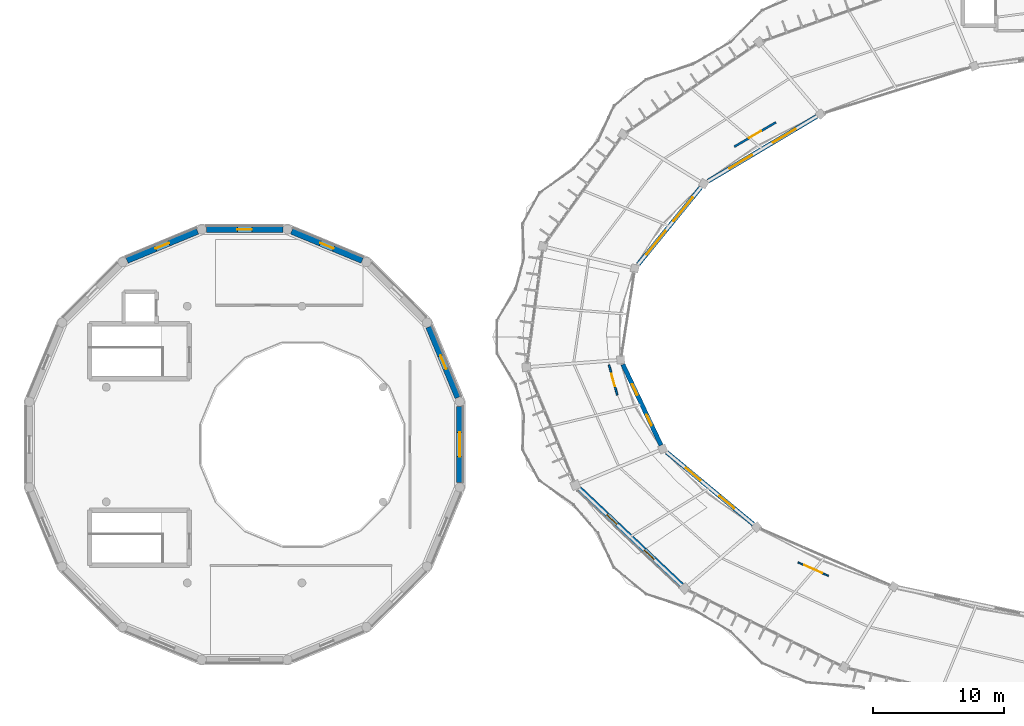
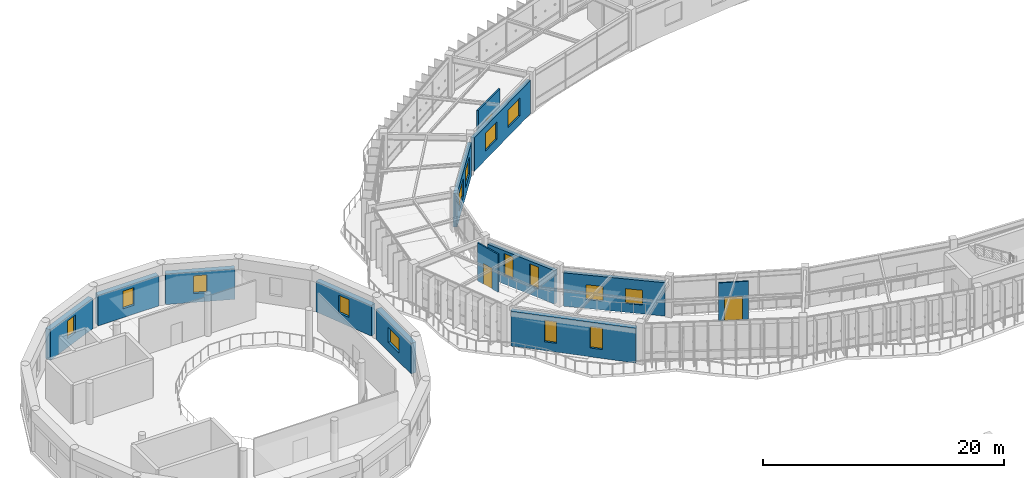
# One storey, part 92 of 114: 15 windows, 13 walls, 3 doors, 18 openings.
"""IFC4 building model written with IfcOpenShell, lengths in metres."""

from ifc_helpers import new_model, si_unit, direction, frame, frame_2d, origin, place, context, subcontext, project, spatial, rectangle, extrude, material, layer, layer_set, type_object, element, fill, save


model = new_model("IFC4")

# Units and contexts
model_context = context("Model", 3, precision=1e-05, world=origin(), true_north=direction((0.0, 1.0)))
body_context = subcontext(model_context, "Body", "Model", "MODEL_VIEW")
ifc_project = project(units=[si_unit("LENGTHUNIT", "METRE"), si_unit("AREAUNIT", "SQUARE_METRE"), si_unit("VOLUMEUNIT", "CUBIC_METRE"), si_unit("PLANEANGLEUNIT", "RADIAN"), si_unit("MASSUNIT", "GRAM", prefix="KILO"), si_unit("THERMODYNAMICTEMPERATUREUNIT", "KELVIN"), si_unit("POWERUNIT", "WATT")], contexts=[model_context])

# Site, building, storey
site_placement = place(None, origin())
site = spatial("IfcSite", under=ifc_project, at=site_placement, CompositionType="ELEMENT")
building_placement = place(site_placement, origin())
building = spatial("IfcBuilding", under=site, at=building_placement, Name="Darbajah Civic Hall", CompositionType="ELEMENT")
storey_placement = place(building_placement, frame((0.0, 0.0, 13.800048828125)))
storey = spatial("IfcBuildingStorey", under=building, at=storey_placement, Name="L03", CompositionType="ELEMENT", Elevation=13.800048828125)

# Wall, opening, window
ifc_material_1 = material(Name="Concrete C50/60", Category="concrete")
ifc_layer_1 = layer(ifc_material_1, 0.47998046875, Name="Concrete C50/60")
ifc_layer_set_1 = layer_set([ifc_layer_1], Name="Concrete C50/60")
wall_type_1 = type_object("IfcWallType", Name="Exterior Shear Wall 480mm", PredefinedType="SHEAR", material=ifc_layer_set_1)
wall_1_placement = place(storey_placement, frame((33.04541015625, 85.183349609375, 0.0), z_axis=(0.0, 0.0, 1.0), x_axis=(-0.382696794395, 0.923873997664, 0.0)))
wall_1 = element("IfcWall", 1, at=wall_1_placement, inside=storey, type_object=wall_type_1, Name="L03 exterior wall SW-480", PredefinedType="SHEAR", context=body_context, shape_type="SweptSolid", body=[
    extrude(rectangle(XDim=5.812255859375, YDim=0.47998046875, at=frame_2d((2.90625, 0.0))), origin(), (0.0, 0.0, 1.0), 3.099853515625),
])
opening_1_placement = place(wall_1_placement, frame((2.356201171875, 0.0, 0.89990234375)))
opening_1 = element("IfcOpeningElement", 2, at=opening_1_placement, cuts=wall_1, Name="Opening WN-17", PredefinedType="OPENING", context=body_context, shape_type="SweptSolid", body=[
    extrude(rectangle(XDim=1.10009765625, YDim=1.800048828125, at=frame_2d((0.550048828125, 0.89990234375))), frame((0.0, 0.25, 0.0), z_axis=(0.0, -1.0, 0.0), x_axis=(1.0, 0.0, 0.0)), (0.0, 0.0, 1.0), 0.5),
])
ifc_material_2 = material(Name="Low-E Solar Control Double Glazing", Category="glass")
window_type_1 = type_object("IfcWindowType", Name="Facade Window 1100x1800", PartitioningType="SINGLE_PANEL", PredefinedType="WINDOW", material=ifc_material_2)
window_1_placement = place(opening_1_placement, origin())
window_1 = element("IfcWindow", 3, at=window_1_placement, inside=storey, type_object=window_type_1, Name="L03 facade window WN-17", OverallHeight=1.800048828125, OverallWidth=1.10009765625, PartitioningType="SINGLE_PANEL", PredefinedType="WINDOW", context=body_context, shape_type="SweptSolid", body=[
    extrude(rectangle(XDim=1.10009765625, YDim=1.800048828125, at=frame_2d((0.550048828125, 0.89990234375))), frame((0.0, 0.030029296875, 0.0), z_axis=(0.0, -1.0, 0.0), x_axis=(1.0, 0.0, 0.0)), (0.0, 0.0, 1.0), 0.06005859375),
])
fill(opening_1, window_1)

wall_2_placement = place(storey_placement, frame((25.75341796875, 95.62109375, 0.0), z_axis=(0.0, 0.0, 1.0), x_axis=(-0.923894998564, 0.382646091877, 0.0)))
wall_2 = element("IfcWall", 4, at=wall_2_placement, inside=storey, type_object=wall_type_1, Name="L03 exterior wall SW-480", PredefinedType="SHEAR", context=body_context, shape_type="SweptSolid", body=[
    extrude(rectangle(XDim=5.8125, YDim=0.47998046875, at=frame_2d((2.90625, 0.0))), origin(), (0.0, 0.0, 1.0), 3.099853515625),
])
opening_2_placement = place(wall_2_placement, frame((2.356201171875, 0.0, 0.89990234375)))
opening_2 = element("IfcOpeningElement", 5, at=opening_2_placement, cuts=wall_2, Name="Opening WN-17", PredefinedType="OPENING", context=body_context, shape_type="SweptSolid", body=[
    extrude(rectangle(XDim=1.10009765625, YDim=1.800048828125, at=frame_2d((0.550048828125, 0.89990234375))), frame((0.0, 0.25, 0.0), z_axis=(0.0, -1.0, 0.0), x_axis=(1.0, 0.0, 0.0)), (0.0, 0.0, 1.0), 0.5),
])
window_2_placement = place(opening_2_placement, origin())
window_2 = element("IfcWindow", 6, at=window_2_placement, inside=storey, type_object=window_type_1, Name="L03 facade window WN-17", OverallHeight=1.800048828125, OverallWidth=1.10009765625, PartitioningType="SINGLE_PANEL", PredefinedType="WINDOW", context=body_context, shape_type="SweptSolid", body=[
    extrude(rectangle(XDim=1.10009765625, YDim=1.800048828125, at=frame_2d((0.550048828125, 0.89990234375))), frame((0.0, 0.030029296875, 0.0), z_axis=(0.0, -1.0, 0.0), x_axis=(1.0, 0.0, 0.0)), (0.0, 0.0, 1.0), 0.06005859375),
])
fill(opening_2, window_2)

wall_3_placement = place(storey_placement, frame((19.706298828125, 97.97998046875, 0.0), z_axis=(0.0, 0.0, 1.0), x_axis=(-1.0, 0.0, 0.0)))
wall_3 = element("IfcWall", 7, at=wall_3_placement, inside=storey, type_object=wall_type_1, Name="L03 exterior wall SW-480", PredefinedType="SHEAR", context=body_context, shape_type="SweptSolid", body=[
    extrude(rectangle(XDim=5.8125, YDim=0.47998046875, at=frame_2d((2.90625, 0.0))), origin(), (0.0, 0.0, 1.0), 3.099853515625),
])
opening_3_placement = place(wall_3_placement, frame((2.356201171875, 0.0, 0.89990234375)))
opening_3 = element("IfcOpeningElement", 8, at=opening_3_placement, cuts=wall_3, Name="Opening WN-17", PredefinedType="OPENING", context=body_context, shape_type="SweptSolid", body=[
    extrude(rectangle(XDim=1.10009765625, YDim=1.800048828125, at=frame_2d((0.550048828125, 0.89990234375))), frame((0.0, 0.25, 0.0), z_axis=(0.0, -1.0, 0.0), x_axis=(1.0, 0.0, 0.0)), (0.0, 0.0, 1.0), 0.5),
])
window_3_placement = place(opening_3_placement, origin())
window_3 = element("IfcWindow", 9, at=window_3_placement, inside=storey, type_object=window_type_1, Name="L03 facade window WN-17", OverallHeight=1.800048828125, OverallWidth=1.10009765625, PartitioningType="SINGLE_PANEL", PredefinedType="WINDOW", context=body_context, shape_type="SweptSolid", body=[
    extrude(rectangle(XDim=1.10009765625, YDim=1.800048828125, at=frame_2d((0.550048828125, 0.89990234375))), frame((0.0, 0.030029296875, 0.0), z_axis=(0.0, -1.0, 0.0), x_axis=(1.0, 0.0, 0.0)), (0.0, 0.0, 1.0), 0.06005859375),
])
fill(opening_3, window_3)

wall_4_placement = place(storey_placement, frame((13.216552734375, 97.84521484375, 0.0), z_axis=(0.0, 0.0, 1.0), x_axis=(-0.923888848229, -0.382660941458, 0.0)))
wall_4 = element("IfcWall", 10, at=wall_4_placement, inside=storey, type_object=wall_type_1, Name="L03 exterior wall SW-480", PredefinedType="SHEAR", context=body_context, shape_type="SweptSolid", body=[
    extrude(rectangle(XDim=5.812255859375, YDim=0.47998046875, at=frame_2d((2.90625, 0.0))), origin(), (0.0, 0.0, 1.0), 3.099853515625),
])
opening_4_placement = place(wall_4_placement, frame((2.356201171875, 0.0, 0.89990234375)))
opening_4 = element("IfcOpeningElement", 11, at=opening_4_placement, cuts=wall_4, Name="Opening WN-17", PredefinedType="OPENING", context=body_context, shape_type="SweptSolid", body=[
    extrude(rectangle(XDim=1.10009765625, YDim=1.800048828125, at=frame_2d((0.550048828125, 0.89990234375))), frame((0.0, 0.25, 0.0), z_axis=(0.0, -1.0, 0.0), x_axis=(1.0, 0.0, 0.0)), (0.0, 0.0, 1.0), 0.5),
])
window_4_placement = place(opening_4_placement, origin())
window_4 = element("IfcWindow", 12, at=window_4_placement, inside=storey, type_object=window_type_1, Name="L03 facade window WN-17", OverallHeight=1.800048828125, OverallWidth=1.10009765625, PartitioningType="SINGLE_PANEL", PredefinedType="WINDOW", context=body_context, shape_type="SweptSolid", body=[
    extrude(rectangle(XDim=1.10009765625, YDim=1.800048828125, at=frame_2d((0.550048828125, 0.89990234375))), frame((0.0, 0.030029296875, 0.0), z_axis=(0.0, -1.0, 0.0), x_axis=(1.0, 0.0, 0.0)), (0.0, 0.0, 1.0), 0.06005859375),
])
fill(opening_4, window_4)

wall_5_placement = place(storey_placement, frame((33.179931640625, 78.69384765625, 0.0), z_axis=(0.0, 0.0, 1.0), x_axis=(0.0, 1.0, 0.0)))
wall_5 = element("IfcWall", 13, at=wall_5_placement, inside=storey, type_object=wall_type_1, Name="L03 exterior wall SW-480", PredefinedType="SHEAR", context=body_context, shape_type="SweptSolid", body=[
    extrude(rectangle(XDim=5.812255859375, YDim=0.47998046875, at=frame_2d((2.90625, 0.0))), origin(), (0.0, 0.0, 1.0), 3.099853515625),
])
opening_5_placement = place(wall_5_placement, frame((1.981201171875, 0.0, 0.89990234375)))
opening_5 = element("IfcOpeningElement", 14, at=opening_5_placement, cuts=wall_5, Name="Opening WN-26", PredefinedType="OPENING", context=body_context, shape_type="SweptSolid", body=[
    extrude(rectangle(XDim=1.85009765625, YDim=1.5, at=frame_2d((0.925048828125, 0.75))), frame((0.0, 0.25, 0.0), z_axis=(0.0, -1.0, 0.0), x_axis=(1.0, 0.0, 0.0)), (0.0, 0.0, 1.0), 0.5),
])
window_type_2 = type_object("IfcWindowType", Name="Facade Window 1850x1500", PartitioningType="DOUBLE_PANEL_VERTICAL", PredefinedType="WINDOW", material=ifc_material_2)
window_5_placement = place(opening_5_placement, origin())
window_5 = element("IfcWindow", 15, at=window_5_placement, inside=storey, type_object=window_type_2, Name="L03 facade window WN-26", OverallHeight=1.5, OverallWidth=1.85009765625, PartitioningType="SINGLE_PANEL", PredefinedType="WINDOW", context=body_context, shape_type="SweptSolid", body=[
    extrude(rectangle(XDim=1.85009765625, YDim=1.5, at=frame_2d((0.925048828125, 0.75))), frame((0.0, 0.030029296875, 0.0), z_axis=(0.0, -1.0, 0.0), x_axis=(1.0, 0.0, 0.0)), (0.0, 0.0, 1.0), 0.06005859375),
])
fill(opening_5, window_5)

# Wall, openings, windows
ifc_material_3 = material(Name="Qatari Desert Limestone Ashlar", Category="masonry")
ifc_layer_2 = layer(ifc_material_3, 0.340087890625, Name="Qatari Desert Limestone Ashlar")
ifc_layer_set_2 = layer_set([ifc_layer_2], Name="Qatari Desert Limestone Ashlar")
wall_type_2 = type_object("IfcWallType", Name="Exterior Wall 340mm", PredefinedType="SOLIDWALL", material=ifc_layer_set_2)
wall_6_placement = place(storey_placement, frame((60.35498046875, 106.578857421875, 0.0), z_axis=(0.0, 0.0, 1.0), x_axis=(-0.858953853399, -0.512053002853, 0.0)))
wall_6 = element("IfcWall", 16, at=wall_6_placement, inside=storey, type_object=wall_type_2, Name="L03 exterior wall EW-340", PredefinedType="SOLIDWALL", context=body_context, shape_type="SweptSolid", body=[
    extrude(rectangle(XDim=9.60595703125, YDim=0.340087890625, at=frame_2d((4.802978515625, 0.0))), origin(), (0.0, 0.0, 1.0), 3.386962890625),
])
opening_6_placement = place(wall_6_placement, frame((1.86865234375, 0.0, 0.89990234375)))
opening_6 = element("IfcOpeningElement", 17, at=opening_6_placement, cuts=wall_6, Name="Opening WN-21", PredefinedType="OPENING", context=body_context, shape_type="SweptSolid", body=[
    extrude(rectangle(XDim=2.0, YDim=1.800048828125, at=frame_2d((1.0, 0.89990234375))), frame((0.0, 0.179931640625, 0.0), z_axis=(0.0, -1.0, 0.0), x_axis=(1.0, 0.0, 0.0)), (0.0, 0.0, 1.0), 0.360107421875),
])
opening_7_placement = place(wall_6_placement, frame((5.7373046875, 0.0, 0.89990234375)))
opening_7 = element("IfcOpeningElement", 18, at=opening_7_placement, cuts=wall_6, Name="Opening WN-21", PredefinedType="OPENING", context=body_context, shape_type="SweptSolid", body=[
    extrude(rectangle(XDim=2.0, YDim=1.800048828125, at=frame_2d((1.0, 0.89990234375))), frame((0.0, 0.179931640625, 0.0), z_axis=(0.0, -1.0, 0.0), x_axis=(1.0, 0.0, 0.0)), (0.0, 0.0, 1.0), 0.360107421875),
])
window_type_3 = type_object("IfcWindowType", Name="Facade Window 2000x1800", PartitioningType="DOUBLE_PANEL_VERTICAL", PredefinedType="WINDOW", material=ifc_material_2)
window_6_placement = place(opening_6_placement, origin())
window_6 = element("IfcWindow", 19, at=window_6_placement, inside=storey, type_object=window_type_3, Name="L03 facade window WN-21", OverallHeight=1.800048828125, OverallWidth=2.0, PartitioningType="SINGLE_PANEL", PredefinedType="WINDOW", context=body_context, shape_type="SweptSolid", body=[
    extrude(rectangle(XDim=2.0, YDim=1.800048828125, at=frame_2d((1.0, 0.89990234375))), frame((0.0, 0.030029296875, 0.0), z_axis=(0.0, -1.0, 0.0), x_axis=(1.0, 0.0, 0.0)), (0.0, 0.0, 1.0), 0.06005859375),
])
fill(opening_6, window_6)
window_7_placement = place(opening_7_placement, origin())
window_7 = element("IfcWindow", 20, at=window_7_placement, inside=storey, type_object=window_type_3, Name="L03 facade window WN-21", OverallHeight=1.800048828125, OverallWidth=2.0, PartitioningType="SINGLE_PANEL", PredefinedType="WINDOW", context=body_context, shape_type="SweptSolid", body=[
    extrude(rectangle(XDim=2.0, YDim=1.800048828125, at=frame_2d((1.0, 0.89990234375))), frame((0.0, 0.030029296875, 0.0), z_axis=(0.0, -1.0, 0.0), x_axis=(1.0, 0.0, 0.0)), (0.0, 0.0, 1.0), 0.06005859375),
])
fill(opening_7, window_7)

wall_7_placement = place(storey_placement, frame((51.540283203125, 101.188720703125, 0.0), z_axis=(0.0, 0.0, 1.0), x_axis=(-0.631074636388, -0.775722117325, 0.0)))
wall_7 = element("IfcWall", 21, at=wall_7_placement, inside=storey, type_object=wall_type_2, Name="L03 exterior wall EW-340", PredefinedType="SOLIDWALL", context=body_context, shape_type="SweptSolid", body=[
    extrude(rectangle(XDim=7.568359375, YDim=0.340087890625, at=frame_2d((3.7841796875, 0.0))), origin(), (0.0, 0.0, 1.0), 3.386962890625),
])
opening_8_placement = place(wall_7_placement, frame((0.989501953125, 0.0, 0.89990234375)))
opening_8 = element("IfcOpeningElement", 22, at=opening_8_placement, cuts=wall_7, Name="Opening WN-22", PredefinedType="OPENING", context=body_context, shape_type="SweptSolid", body=[
    extrude(rectangle(XDim=2.300048828125, YDim=1.800048828125, at=frame_2d((1.14990234375, 0.89990234375))), frame((0.0, 0.179931640625, 0.0), z_axis=(0.0, -1.0, 0.0), x_axis=(1.0, 0.0, 0.0)), (0.0, 0.0, 1.0), 0.360107421875),
])
opening_9_placement = place(wall_7_placement, frame((4.27880859375, 0.0, 0.89990234375)))
opening_9 = element("IfcOpeningElement", 23, at=opening_9_placement, cuts=wall_7, Name="Opening WN-22", PredefinedType="OPENING", context=body_context, shape_type="SweptSolid", body=[
    extrude(rectangle(XDim=2.300048828125, YDim=1.800048828125, at=frame_2d((1.14990234375, 0.89990234375))), frame((0.0, 0.179931640625, 0.0), z_axis=(0.0, -1.0, 0.0), x_axis=(1.0, 0.0, 0.0)), (0.0, 0.0, 1.0), 0.360107421875),
])
window_type_4 = type_object("IfcWindowType", Name="Facade Window 2300x1800", PartitioningType="DOUBLE_PANEL_VERTICAL", PredefinedType="WINDOW", material=ifc_material_2)
window_8_placement = place(opening_8_placement, origin())
window_8 = element("IfcWindow", 24, at=window_8_placement, inside=storey, type_object=window_type_4, Name="L03 facade window WN-22", OverallHeight=1.800048828125, OverallWidth=2.300048828125, PartitioningType="SINGLE_PANEL", PredefinedType="WINDOW", context=body_context, shape_type="SweptSolid", body=[
    extrude(rectangle(XDim=2.300048828125, YDim=1.800048828125, at=frame_2d((1.14990234375, 0.89990234375))), frame((0.0, 0.030029296875, 0.0), z_axis=(0.0, -1.0, 0.0), x_axis=(1.0, 0.0, 0.0)), (0.0, 0.0, 1.0), 0.06005859375),
])
fill(opening_8, window_8)
window_9_placement = place(opening_9_placement, origin())
window_9 = element("IfcWindow", 25, at=window_9_placement, inside=storey, type_object=window_type_4, Name="L03 facade window WN-22", OverallHeight=1.800048828125, OverallWidth=2.300048828125, PartitioningType="SINGLE_PANEL", PredefinedType="WINDOW", context=body_context, shape_type="SweptSolid", body=[
    extrude(rectangle(XDim=2.300048828125, YDim=1.800048828125, at=frame_2d((1.14990234375, 0.89990234375))), frame((0.0, 0.030029296875, 0.0), z_axis=(0.0, -1.0, 0.0), x_axis=(1.0, 0.0, 0.0)), (0.0, 0.0, 1.0), 0.06005859375),
])
fill(opening_9, window_9)

wall_8_placement = place(storey_placement, frame((45.600830078125, 87.69873046875, 0.0), z_axis=(0.0, 0.0, 1.0), x_axis=(0.426502789178, -0.904486246895, 0.0)))
wall_8 = element("IfcWall", 26, at=wall_8_placement, inside=storey, type_object=wall_type_2, Name="L03 exterior wall EW-340", PredefinedType="SOLIDWALL", context=body_context, shape_type="SweptSolid", body=[
    extrude(rectangle(XDim=6.7958984375, YDim=0.340087890625, at=frame_2d((3.39794921875, 0.0))), origin(), (0.0, 0.0, 1.0), 3.386962890625),
])
opening_10_placement = place(wall_8_placement, frame((1.665283203125, 0.0, 0.89990234375)))
opening_10 = element("IfcOpeningElement", 27, at=opening_10_placement, cuts=wall_8, Name="Opening WN-23", PredefinedType="OPENING", context=body_context, shape_type="SweptSolid", body=[
    extrude(rectangle(XDim=0.89990234375, YDim=2.199951171875, at=frame_2d((0.449951171875, 1.10009765625))), frame((0.0, 0.179931640625, 0.0), z_axis=(0.0, -1.0, 0.0), x_axis=(1.0, 0.0, 0.0)), (0.0, 0.0, 1.0), 0.360107421875),
])
opening_11_placement = place(wall_8_placement, frame((4.23046875, 0.0, 0.89990234375)))
opening_11 = element("IfcOpeningElement", 28, at=opening_11_placement, cuts=wall_8, Name="Opening WN-23", PredefinedType="OPENING", context=body_context, shape_type="SweptSolid", body=[
    extrude(rectangle(XDim=0.89990234375, YDim=2.199951171875, at=frame_2d((0.449951171875, 1.10009765625))), frame((0.0, 0.179931640625, 0.0), z_axis=(0.0, -1.0, 0.0), x_axis=(1.0, 0.0, 0.0)), (0.0, 0.0, 1.0), 0.360107421875),
])
window_type_5 = type_object("IfcWindowType", Name="Facade Window 900x2200", PartitioningType="SINGLE_PANEL", PredefinedType="WINDOW", material=ifc_material_2)
window_10_placement = place(opening_10_placement, origin())
window_10 = element("IfcWindow", 29, at=window_10_placement, inside=storey, type_object=window_type_5, Name="L03 facade window WN-23", OverallHeight=2.199951171875, OverallWidth=0.89990234375, PartitioningType="SINGLE_PANEL", PredefinedType="WINDOW", context=body_context, shape_type="SweptSolid", body=[
    extrude(rectangle(XDim=0.89990234375, YDim=2.199951171875, at=frame_2d((0.449951171875, 1.10009765625))), frame((0.0, 0.030029296875, 0.0), z_axis=(0.0, -1.0, 0.0), x_axis=(1.0, 0.0, 0.0)), (0.0, 0.0, 1.0), 0.06005859375),
])
fill(opening_10, window_10)
window_11_placement = place(opening_11_placement, origin())
window_11 = element("IfcWindow", 30, at=window_11_placement, inside=storey, type_object=window_type_5, Name="L03 facade window WN-23", OverallHeight=2.199951171875, OverallWidth=0.89990234375, PartitioningType="SINGLE_PANEL", PredefinedType="WINDOW", context=body_context, shape_type="SweptSolid", body=[
    extrude(rectangle(XDim=0.89990234375, YDim=2.199951171875, at=frame_2d((0.449951171875, 1.10009765625))), frame((0.0, 0.030029296875, 0.0), z_axis=(0.0, -1.0, 0.0), x_axis=(1.0, 0.0, 0.0)), (0.0, 0.0, 1.0), 0.06005859375),
])
fill(opening_11, window_11)

wall_9_placement = place(storey_placement, frame((48.947265625, 81.006103515625, 0.0), z_axis=(0.0, 0.0, 1.0), x_axis=(0.769158643018, -0.639057886166, 0.0)))
wall_9 = element("IfcWall", 31, at=wall_9_placement, inside=storey, type_object=wall_type_2, Name="L03 exterior wall EW-340", PredefinedType="SOLIDWALL", context=body_context, shape_type="SweptSolid", body=[
    extrude(rectangle(XDim=8.55322265625, YDim=0.340087890625, at=frame_2d((4.276611328125, 0.0))), origin(), (0.0, 0.0, 1.0), 3.386962890625),
])
opening_12_placement = place(wall_9_placement, frame((1.884521484375, 0.0, 0.89990234375)))
opening_12 = element("IfcOpeningElement", 32, at=opening_12_placement, cuts=wall_9, Name="Opening WN-25", PredefinedType="OPENING", context=body_context, shape_type="SweptSolid", body=[
    extrude(rectangle(XDim=1.449951171875, YDim=1.5, at=frame_2d((0.72509765625, 0.75))), frame((0.0, 0.179931640625, 0.0), z_axis=(0.0, -1.0, 0.0), x_axis=(1.0, 0.0, 0.0)), (0.0, 0.0, 1.0), 0.360107421875),
])
opening_13_placement = place(wall_9_placement, frame((5.21875, 0.0, 0.89990234375)))
opening_13 = element("IfcOpeningElement", 33, at=opening_13_placement, cuts=wall_9, Name="Opening WN-25", PredefinedType="OPENING", context=body_context, shape_type="SweptSolid", body=[
    extrude(rectangle(XDim=1.449951171875, YDim=1.5, at=frame_2d((0.72509765625, 0.75))), frame((0.0, 0.179931640625, 0.0), z_axis=(0.0, -1.0, 0.0), x_axis=(1.0, 0.0, 0.0)), (0.0, 0.0, 1.0), 0.360107421875),
])
window_type_6 = type_object("IfcWindowType", Name="Facade Window 1450x1500", PartitioningType="SINGLE_PANEL", PredefinedType="WINDOW", material=ifc_material_2)
window_12_placement = place(opening_12_placement, origin())
window_12 = element("IfcWindow", 34, at=window_12_placement, inside=storey, type_object=window_type_6, Name="L03 facade window WN-25", OverallHeight=1.5, OverallWidth=1.449951171875, PartitioningType="SINGLE_PANEL", PredefinedType="WINDOW", context=body_context, shape_type="SweptSolid", body=[
    extrude(rectangle(XDim=1.449951171875, YDim=1.5, at=frame_2d((0.72509765625, 0.75))), frame((0.0, 0.030029296875, 0.0), z_axis=(0.0, -1.0, 0.0), x_axis=(1.0, 0.0, 0.0)), (0.0, 0.0, 1.0), 0.06005859375),
])
fill(opening_12, window_12)
window_13_placement = place(opening_13_placement, origin())
window_13 = element("IfcWindow", 35, at=window_13_placement, inside=storey, type_object=window_type_6, Name="L03 facade window WN-25", OverallHeight=1.5, OverallWidth=1.449951171875, PartitioningType="SINGLE_PANEL", PredefinedType="WINDOW", context=body_context, shape_type="SweptSolid", body=[
    extrude(rectangle(XDim=1.449951171875, YDim=1.5, at=frame_2d((0.72509765625, 0.75))), frame((0.0, 0.030029296875, 0.0), z_axis=(0.0, -1.0, 0.0), x_axis=(1.0, 0.0, 0.0)), (0.0, 0.0, 1.0), 0.06005859375),
])
fill(opening_13, window_13)

ifc_layer_3 = layer(ifc_material_3, 0.419921875, Name="Qatari Desert Limestone Ashlar")
ifc_layer_set_3 = layer_set([ifc_layer_3], Name="Qatari Desert Limestone Ashlar")
wall_type_3 = type_object("IfcWallType", Name="Exterior Wall 420mm", PredefinedType="SOLIDWALL", material=ifc_layer_set_3)
wall_10_placement = place(storey_placement, frame((42.2958984375, 78.214599609375, 0.0), z_axis=(0.0, 0.0, 1.0), x_axis=(0.727216115184, -0.686408567704, 0.0)))
wall_10 = element("IfcWall", 36, at=wall_10_placement, inside=storey, type_object=wall_type_3, Name="L03 exterior wall EW-420", PredefinedType="SOLIDWALL", context=body_context, shape_type="SweptSolid", body=[
    extrude(rectangle(XDim=10.673095703125, YDim=0.419921875, at=frame_2d((5.33642578125, 0.0))), origin(), (0.0, 0.0, 1.0), 3.52001953125),
])
opening_14_placement = place(wall_10_placement, frame((2.857666015625, 0.0, 0.89990234375)))
opening_14 = element("IfcOpeningElement", 37, at=opening_14_placement, cuts=wall_10, Name="Opening WN-24", PredefinedType="OPENING", context=body_context, shape_type="SweptSolid", body=[
    extrude(rectangle(XDim=1.050048828125, YDim=2.199951171875, at=frame_2d((0.52490234375, 1.10009765625))), frame((0.0, 0.219970703125, 0.0), z_axis=(0.0, -1.0, 0.0), x_axis=(1.0, 0.0, 0.0)), (0.0, 0.0, 1.0), 0.43994140625),
])
opening_15_placement = place(wall_10_placement, frame((6.765380859375, 0.0, 0.89990234375)))
opening_15 = element("IfcOpeningElement", 38, at=opening_15_placement, cuts=wall_10, Name="Opening WN-24", PredefinedType="OPENING", context=body_context, shape_type="SweptSolid", body=[
    extrude(rectangle(XDim=1.050048828125, YDim=2.199951171875, at=frame_2d((0.52490234375, 1.10009765625))), frame((0.0, 0.219970703125, 0.0), z_axis=(0.0, -1.0, 0.0), x_axis=(1.0, 0.0, 0.0)), (0.0, 0.0, 1.0), 0.43994140625),
])
window_type_7 = type_object("IfcWindowType", Name="Facade Window 1050x2200", PartitioningType="SINGLE_PANEL", PredefinedType="WINDOW", material=ifc_material_2)
window_14_placement = place(opening_14_placement, origin())
window_14 = element("IfcWindow", 39, at=window_14_placement, inside=storey, type_object=window_type_7, Name="L03 facade window WN-24", OverallHeight=2.199951171875, OverallWidth=1.050048828125, PartitioningType="SINGLE_PANEL", PredefinedType="WINDOW", context=body_context, shape_type="SweptSolid", body=[
    extrude(rectangle(XDim=1.050048828125, YDim=2.199951171875, at=frame_2d((0.52490234375, 1.10009765625))), frame((0.0, 0.030029296875, 0.0), z_axis=(0.0, -1.0, 0.0), x_axis=(1.0, 0.0, 0.0)), (0.0, 0.0, 1.0), 0.06005859375),
])
fill(opening_14, window_14)
window_15_placement = place(opening_15_placement, origin())
window_15 = element("IfcWindow", 40, at=window_15_placement, inside=storey, type_object=window_type_7, Name="L03 facade window WN-24", OverallHeight=2.199951171875, OverallWidth=1.050048828125, PartitioningType="SINGLE_PANEL", PredefinedType="WINDOW", context=body_context, shape_type="SweptSolid", body=[
    extrude(rectangle(XDim=1.050048828125, YDim=2.199951171875, at=frame_2d((0.52490234375, 1.10009765625))), frame((0.0, 0.030029296875, 0.0), z_axis=(0.0, -1.0, 0.0), x_axis=(1.0, 0.0, 0.0)), (0.0, 0.0, 1.0), 0.06005859375),
])
fill(opening_15, window_15)

# Wall, opening, door
ifc_material_4 = material(Name="Acoustic Gypsum Partition")
ifc_layer_4 = layer(ifc_material_4, 0.114990234375, Name="Acoustic Gypsum Partition")
ifc_layer_set_4 = layer_set([ifc_layer_4], Name="Acoustic Gypsum Partition")
wall_type_4 = type_object("IfcWallType", Name="Interior Partition 115mm", PredefinedType="PARTITIONING", material=ifc_layer_set_4)
wall_11_placement = place(storey_placement, frame((61.242431640625, 71.6044921875, 0.0), z_axis=(0.0, 0.0, 1.0), x_axis=(-0.914402191682, 0.404806906866, 0.0)))
wall_11 = element("IfcWall", 41, at=wall_11_placement, inside=storey, type_object=wall_type_4, Name="L03 interior partition L03-V1-06", PredefinedType="PARTITIONING", context=body_context, shape_type="SweptSolid", body=[
    extrude(rectangle(XDim=2.5185546875, YDim=0.114990234375, at=frame_2d((1.25927734375, 0.0))), origin(), (0.0, 0.0, 1.0), 3.85986328125),
])
opening_16_placement = place(wall_11_placement, frame((0.509521484375, 0.0, 0.0)))
opening_16 = element("IfcOpeningElement", 42, at=opening_16_placement, cuts=wall_11, Name="Opening D-0226", PredefinedType="OPENING", context=body_context, shape_type="SweptSolid", body=[
    extrude(rectangle(XDim=1.5, YDim=2.35009765625, at=frame_2d((0.75, 1.175048828125))), frame((0.0, 0.0673828125, 0.0), z_axis=(0.0, -1.0, 0.0), x_axis=(1.0, 0.0, 0.0)), (0.0, 0.0, 1.0), 0.135009765625),
])
ifc_material_5 = material(Name="Committee Chamber Double Door")
door_type_1 = type_object("IfcDoorType", Name="Interior Door 1500x2350", OperationType="NOTDEFINED", PredefinedType="DOOR", material=ifc_material_5)
door_1_placement = place(opening_16_placement, origin())
door_1 = element("IfcDoor", 43, at=door_1_placement, inside=storey, type_object=door_type_1, Name="L03 L03-V1-06 door D-0226", OperationType="DOUBLE_DOOR_SINGLE_SWING", OverallHeight=2.35009765625, OverallWidth=1.5, PredefinedType="DOOR", context=body_context, shape_type="SweptSolid", body=[
    extrude(rectangle(XDim=1.5, YDim=2.35009765625, at=frame_2d((0.75, 1.175048828125))), frame((0.0, 0.02490234375, 0.0), z_axis=(0.0, -1.0, 0.0), x_axis=(1.0, 0.0, 0.0)), (0.0, 0.0, 1.0), 0.050048828125),
])
fill(opening_16, door_1)

ifc_material_6 = material(Name="Gypsum Plasterboard on Steel Stud", Category="steel")
ifc_layer_5 = layer(ifc_material_6, 0.135009765625, Name="Gypsum Plasterboard on Steel Stud")
ifc_layer_set_5 = layer_set([ifc_layer_5], Name="Gypsum Plasterboard on Steel Stud")
wall_type_5 = type_object("IfcWallType", Name="Interior Partition 135mm", PredefinedType="PARTITIONING", material=ifc_layer_set_5)
wall_12_placement = place(storey_placement, frame((45.172119140625, 85.36376953125, 0.0), z_axis=(0.0, 0.0, 1.0), x_axis=(-0.264997701636, 0.964249043623, 0.0)))
wall_12 = element("IfcWall", 44, at=wall_12_placement, inside=storey, type_object=wall_type_5, Name="L03 interior partition L03-V1-05", PredefinedType="PARTITIONING", context=body_context, shape_type="SweptSolid", body=[
    extrude(rectangle(XDim=2.39453125, YDim=0.135009765625, at=frame_2d((1.197265625, 0.0))), origin(), (0.0, 0.0, 1.0), 3.85986328125),
])
opening_17_placement = place(wall_12_placement, frame((0.697265625, 0.0, 0.0)))
opening_17 = element("IfcOpeningElement", 45, at=opening_17_placement, cuts=wall_12, Name="Opening D-0225", PredefinedType="OPENING", context=body_context, shape_type="SweptSolid", body=[
    extrude(rectangle(XDim=1.0, YDim=2.10009765625, at=frame_2d((0.5, 1.050048828125))), frame((0.0, 0.077392578125, 0.0), z_axis=(0.0, -1.0, 0.0), x_axis=(1.0, 0.0, 0.0)), (0.0, 0.0, 1.0), 0.155029296875),
])
ifc_material_7 = material(Name="Oak Suite Door")
door_type_2 = type_object("IfcDoorType", Name="Interior Door 1000x2100", OperationType="NOTDEFINED", PredefinedType="DOOR", material=ifc_material_7)
door_2_placement = place(opening_17_placement, origin())
door_2 = element("IfcDoor", 46, at=door_2_placement, inside=storey, type_object=door_type_2, Name="L03 L03-V1-05 door D-0225", OperationType="SINGLE_SWING_RIGHT", OverallHeight=2.10009765625, OverallWidth=1.0, PredefinedType="DOOR", context=body_context, shape_type="SweptSolid", body=[
    extrude(rectangle(XDim=1.0, YDim=2.10009765625, at=frame_2d((0.5, 1.050048828125))), frame((0.0, 0.02490234375, 0.0), z_axis=(0.0, -1.0, 0.0), x_axis=(1.0, 0.0, 0.0)), (0.0, 0.0, 1.0), 0.050048828125),
])
fill(opening_17, door_2)

ifc_layer_6 = layer(ifc_material_6, 0.159912109375, Name="Gypsum Plasterboard on Steel Stud")
ifc_layer_set_6 = layer_set([ifc_layer_6], Name="Gypsum Plasterboard on Steel Stud")
wall_type_6 = type_object("IfcWallType", Name="Interior Partition 160mm", PredefinedType="PARTITIONING", material=ifc_layer_set_6)
wall_13_placement = place(storey_placement, frame((54.078369140625, 104.2734375, 0.0), z_axis=(0.0, 0.0, 1.0), x_axis=(0.862772884256, 0.50559168327, 0.0)))
wall_13 = element("IfcWall", 47, at=wall_13_placement, inside=storey, type_object=wall_type_6, Name="L03 interior partition L03-V1-04", PredefinedType="PARTITIONING", context=body_context, shape_type="SweptSolid", body=[
    extrude(rectangle(XDim=3.6767578125, YDim=0.159912109375, at=frame_2d((1.83837890625, 0.0))), origin(), (0.0, 0.0, 1.0), 3.85986328125),
])
opening_18_placement = place(wall_13_placement, frame((1.313232421875, 0.0, 0.0)))
opening_18 = element("IfcOpeningElement", 48, at=opening_18_placement, cuts=wall_13, Name="Opening D-0224", PredefinedType="OPENING", context=body_context, shape_type="SweptSolid", body=[
    extrude(rectangle(XDim=1.050048828125, YDim=2.14990234375, at=frame_2d((0.52490234375, 1.074951171875))), frame((0.0, 0.08984375, 0.0), z_axis=(0.0, -1.0, 0.0), x_axis=(1.0, 0.0, 0.0)), (0.0, 0.0, 1.0), 0.179931640625),
])
ifc_material_8 = material(Name="Acoustic Oak Office Door")
door_type_3 = type_object("IfcDoorType", Name="Interior Door 1050x2150", OperationType="NOTDEFINED", PredefinedType="DOOR", material=ifc_material_8)
door_3_placement = place(opening_18_placement, origin())
door_3 = element("IfcDoor", 49, at=door_3_placement, inside=storey, type_object=door_type_3, Name="L03 L03-V1-04 door D-0224", OperationType="SINGLE_SWING_LEFT", OverallHeight=2.14990234375, OverallWidth=1.050048828125, PredefinedType="DOOR", context=body_context, shape_type="SweptSolid", body=[
    extrude(rectangle(XDim=1.050048828125, YDim=2.14990234375, at=frame_2d((0.52490234375, 1.074951171875))), frame((0.0, 0.02490234375, 0.0), z_axis=(0.0, -1.0, 0.0), x_axis=(1.0, 0.0, 0.0)), (0.0, 0.0, 1.0), 0.050048828125),
])
fill(opening_18, door_3)

save(model, "model.ifc")
